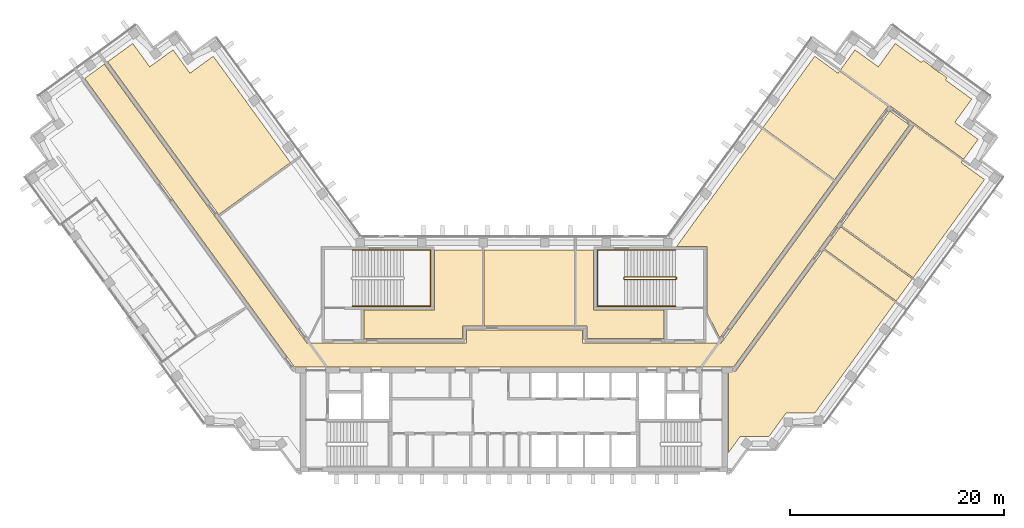
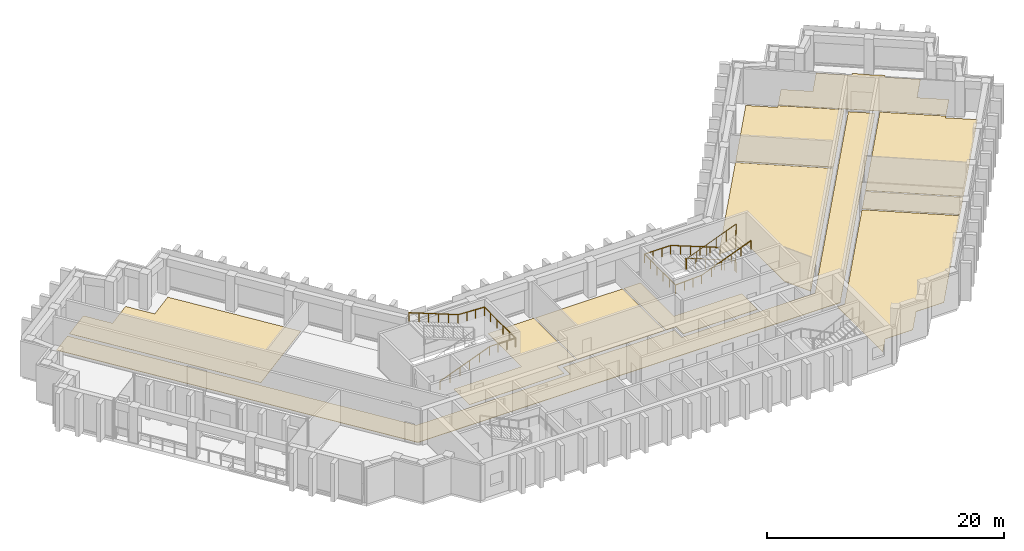
# One storey, part 13 of 13: 11 coverings, 3 railings.
"""IFC4 building model written with IfcOpenShell, lengths in metres."""

from ifc_helpers import new_model, si_unit, direction, frame, origin, origin_2d, place, context, subcontext, project, spatial, polyline, circle, outline, extrude, material, layer, layer_set, type_object, element, save


model = new_model("IFC4")

# Units and contexts
model_context = context("Model", 3, precision=1e-05, world=origin(), true_north=direction((0.0, 1.0)))
body_context = subcontext(model_context, "Body", "Model", "MODEL_VIEW")
ifc_project = project(units=[si_unit("LENGTHUNIT", "METRE"), si_unit("AREAUNIT", "SQUARE_METRE"), si_unit("VOLUMEUNIT", "CUBIC_METRE"), si_unit("PLANEANGLEUNIT", "RADIAN"), si_unit("MASSUNIT", "GRAM", prefix="KILO")], contexts=[model_context])

# Site, building, storey
site_placement = place(None, origin())
site = spatial("IfcSite", under=ifc_project, at=site_placement, CompositionType="ELEMENT")
building_placement = place(site_placement, origin())
building = spatial("IfcBuilding", under=site, at=building_placement, Name="Quipu Civic Tower", CompositionType="ELEMENT")
storey_placement = place(building_placement, frame((0.0, 0.0, 156.0)))
storey = spatial("IfcBuildingStorey", under=building, at=storey_placement, Name="L36", CompositionType="ELEMENT", Elevation=156.0)

# Coverings
ifc_material_1 = material(Name="Carpet tile on raised access floor")
ifc_layer_1 = layer(ifc_material_1, 0.02001953125)
ifc_layer_set_1 = layer_set([ifc_layer_1], Name="Carpet tile on raised access floor")
covering_type_1 = type_object("IfcCoveringType", Name="Carpet tile floor finish 20", PredefinedType="FLOORING", material=ifc_layer_set_1)
covering_1_placement = place(storey_placement, origin())
element("IfcCovering", 1, at=covering_1_placement, inside=storey, type_object=covering_type_1, Name="Carpet tile floor finish 20", PredefinedType="FLOORING", context=body_context, shape_type="SweptSolid", body=[
    extrude(outline(polyline([(15.238037109375, 10.169921875), (23.235107421875, 21.177001953125), (29.9580078125, 16.29296875), (19.27197265625, 1.583984375), (18.070068359375, 3.94189453125), (18.070068359375, 10.1689453125), (15.238037109375, 10.169921875)])), origin(), (0.0, 0.0, 1.0), 0.02001953125),
])
covering_2_placement = place(storey_placement, origin())
element("IfcCovering", 2, at=covering_2_placement, inside=storey, type_object=covering_type_1, Name="Carpet tile floor finish 20", PredefinedType="FLOORING", context=body_context, shape_type="SweptSolid", body=[
    extrude(outline(polyline([(20.070068359375, -9.195068359375), (20.070068359375, -1.52001953125), (20.77490234375, -1.51904296875), (29.0029296875, 9.805908203125), (35.72607421875, 4.922119140625), (28.181884765625, -5.4609375), (25.48193359375, -5.4619140625), (23.89501953125, -7.64599609375), (21.196044921875, -7.64599609375), (20.070068359375, -9.195068359375)])), origin(), (0.0, 0.0, 1.0), 0.02001953125),
])
covering_3_placement = place(storey_placement, origin())
element("IfcCovering", 3, at=covering_3_placement, inside=storey, type_object=covering_type_1, Name="Carpet tile floor finish 20", PredefinedType="FLOORING", context=body_context, shape_type="SweptSolid", body=[
    extrude(outline(polyline([(30.673095703125, 12.10302734375), (37.4990234375, 21.5), (42.0380859375, 18.201904296875), (41.89208984375, 17.9990234375), (44.074951171875, 16.4140625), (37.39599609375, 7.218994140625), (30.673095703125, 12.10302734375)])), origin(), (0.0, 0.0, 1.0), 0.02001953125),
])
covering_4_placement = place(storey_placement, origin())
element("IfcCovering", 4, at=covering_4_placement, inside=storey, type_object=covering_type_1, Name="Carpet tile floor finish 20", PredefinedType="FLOORING", context=body_context, shape_type="SweptSolid", body=[
    extrude(outline(polyline([(-14.030029296875, 1.52001953125), (-14.030029296875, 4.179931640625), (-7.429931640625, 4.180908203125), (-7.429931640625, 9.830078125), (-2.948974609375, 9.830078125), (-2.948974609375, 2.719970703125), (-4.819091796875, 2.719970703125), (-4.820068359375, 1.52001953125), (-14.030029296875, 1.52001953125)])), origin(), (0.0, 0.0, 1.0), 0.02001953125),
])
covering_5_placement = place(storey_placement, origin())
element("IfcCovering", 5, at=covering_5_placement, inside=storey, type_object=covering_type_1, Name="Carpet tile floor finish 20", PredefinedType="FLOORING", context=body_context, shape_type="SweptSolid", body=[
    extrude(outline(polyline([(-2.80908203125, 9.830078125), (5.68798828125, 9.830078125), (5.68798828125, 2.719970703125), (-2.80908203125, 2.719970703125), (-2.80908203125, 9.830078125)])), origin(), (0.0, 0.0, 1.0), 0.02001953125),
])
covering_6_placement = place(storey_placement, origin())
element("IfcCovering", 6, at=covering_6_placement, inside=storey, type_object=covering_type_1, Name="Carpet tile floor finish 20", PredefinedType="FLOORING", context=body_context, shape_type="SweptSolid", body=[
    extrude(outline(polyline([(-38.06689453125, 27.4541015625), (-35.712890625, 29.1640625), (-34.126953125, 26.97998046875), (-31.94091796875, 28.56591796875), (-30.35400390625, 26.383056640625), (-28.169921875, 27.968994140625), (-20.93798828125, 18.013916015625), (-27.660888671875, 13.1298828125), (-38.06689453125, 27.4541015625)])), origin(), (0.0, 0.0, 1.0), 0.02001953125),
])
covering_7_placement = place(storey_placement, origin())
element("IfcCovering", 7, at=covering_7_placement, inside=storey, type_object=covering_type_1, Name="Carpet tile floor finish 20", PredefinedType="FLOORING", context=body_context, shape_type="SweptSolid", body=[
    extrude(outline(polyline([(30.583984375, 26.697021484375), (31.94189453125, 28.56591796875), (34.126953125, 26.97998046875), (35.712890625, 29.1640625), (38.169921875, 27.37890625), (38.324951171875, 27.587890625), (39.0869140625, 27.033935546875), (39.0849609375, 27.030029296875), (39.0830078125, 27.02490234375), (39.08203125, 27.02001953125), (39.08203125, 27.014892578125), (39.08203125, 27.010986328125), (39.0830078125, 27.006103515625), (39.083984375, 27.0009765625), (39.0849609375, 26.99609375), (39.0869140625, 26.991943359375), (39.089111328125, 26.987060546875), (39.092041015625, 26.98291015625), (39.094970703125, 26.97998046875), (39.09912109375, 26.97607421875), (39.10302734375, 26.972900390625), (39.75, 26.5029296875), (39.75390625, 26.5), (39.758056640625, 26.498046875), (39.762939453125, 26.49609375), (39.76806640625, 26.4951171875), (39.77197265625, 26.493896484375), (39.777099609375, 26.492919921875), (39.781982421875, 26.492919921875), (39.787109375, 26.493896484375), (39.7919921875, 26.4951171875), (39.7958984375, 26.49609375), (39.801025390625, 26.498046875), (39.804931640625, 26.5009765625), (39.80908203125, 26.5029296875), (39.81298828125, 26.507080078125), (40.574951171875, 25.952880859375), (40.424072265625, 25.740966796875), (42.881103515625, 23.95703125), (41.2939453125, 21.77294921875), (43.47802734375, 20.18505859375), (42.12109375, 18.31591796875), (30.583984375, 26.697021484375)])), origin(), (0.0, 0.0, 1.0), 0.02001953125),
])
ifc_material_2 = material(Name="Ceramic floor tile")
ifc_layer_2 = layer(ifc_material_2, 0.030029296875)
ifc_layer_set_2 = layer_set([ifc_layer_2], Name="Ceramic floor tile")
covering_type_2 = type_object("IfcCoveringType", Name="Ceramic tile floor finish 30", PredefinedType="FLOORING", material=ifc_layer_set_2)
covering_8_placement = place(storey_placement, origin())
element("IfcCovering", 8, at=covering_8_placement, inside=storey, type_object=covering_type_2, Name="Ceramic tile floor finish 30", PredefinedType="FLOORING", context=body_context, shape_type="SweptSolid", body=[
    extrude(outline(polyline([(29.0859375, 9.9189453125), (30.590087890625, 11.989990234375), (37.31298828125, 7.10595703125), (35.80908203125, 5.034912109375), (29.0859375, 9.9189453125)])), origin(), (0.0, 0.0, 1.0), 0.030029296875),
])
covering_9_placement = place(storey_placement, origin())
element("IfcCovering", 9, at=covering_9_placement, inside=storey, type_object=covering_type_2, Name="Ceramic tile floor finish 30", PredefinedType="FLOORING", context=body_context, shape_type="SweptSolid", body=[
    extrude(outline(polyline([(5.827880859375, 2.719970703125), (5.827880859375, 9.830078125), (7.429931640625, 9.830078125), (7.430908203125, 4.179931640625), (14.030029296875, 4.179931640625), (14.030029296875, 1.52001953125), (6.820068359375, 1.52001953125), (6.820068359375, 2.718994140625), (5.827880859375, 2.719970703125)])), origin(), (0.0, 0.0, 1.0), 0.030029296875),
])
ifc_material_3 = material(Name="Sealed cement screed")
ifc_layer_3 = layer(ifc_material_3, 0.050048828125)
ifc_layer_set_3 = layer_set([ifc_layer_3], Name="Sealed cement screed")
covering_type_3 = type_object("IfcCoveringType", Name="Sealed screed floor finish 50", PredefinedType="FLOORING", material=ifc_layer_set_3)
covering_10_placement = place(storey_placement, origin())
element("IfcCovering", 10, at=covering_10_placement, inside=storey, type_object=covering_type_3, Name="Sealed screed floor finish 50", PredefinedType="FLOORING", context=body_context, shape_type="SweptSolid", body=[
    extrude(outline(polyline([(23.318115234375, 21.2900390625), (28.169921875, 27.968994140625), (30.35302734375, 26.383056640625), (30.5009765625, 26.583984375), (35.0400390625, 23.2880859375), (30.041015625, 16.406005859375), (23.318115234375, 21.2900390625)])), origin(), (0.0, 0.0, 1.0), 0.050048828125),
])

# Railings
ifc_material_4 = material(Name="Stainless steel", Category="steel")
railing_type_1 = type_object("IfcRailingType", Name="Stair guard 1100", PredefinedType="GUARDRAIL", material=ifc_material_4)
railing_1_placement = place(storey_placement, frame((15.14990234375, 7.300048828125, 0.11767578125)))
element("IfcRailing", 11, at=railing_1_placement, inside=storey, type_object=railing_type_1, Name="Stair 4 guard", PredefinedType="GUARDRAIL", context=body_context, shape_type="SweptSolid", body=[
    extrude(circle(Radius=0.02392578125, at=origin_2d()), frame((0.0, 0.0, 1.076171875), z_axis=(-0.930970042603, 0.0, 0.365095576219), x_axis=(0.0, -1.0, 0.0)), (0.0, 0.0, 1.0), 5.15576171875),
    extrude(circle(Radius=0.02392578125, at=origin_2d()), frame((-4.7998046875, 0.0, 2.95849609375), z_axis=(-0.707106781187, -0.707106781187, 0.0), x_axis=(0.707106781187, -0.707106781187, 0.0)), (0.0, 0.0, 1.0), 0.07080078125),
    extrude(circle(Radius=0.02392578125, at=origin_2d()), frame((-4.849853515625, -0.050048828125, 2.95849609375), z_axis=(0.0, -1.0, 0.0), x_axis=(1.0, 0.0, 0.0)), (0.0, 0.0, 1.0), 0.14990234375),
    extrude(circle(Radius=0.02392578125, at=origin_2d()), frame((-4.849853515625, -0.199951171875, 2.95849609375), z_axis=(0.364463019033, -0.364463019033, 0.856932561824), x_axis=(0.707106781187, 0.707106781187, 0.0)), (0.0, 0.0, 1.0), 0.13720703125),
    extrude(circle(Radius=0.02392578125, at=origin_2d()), frame((-4.7998046875, -0.25, 3.076171875), z_axis=(0.930970042603, 0.0, 0.365095576219), x_axis=(0.0, 1.0, 0.0)), (0.0, 0.0, 1.0), 5.15576171875),
    extrude(circle(Radius=0.02392578125, at=origin_2d()), frame((0.0, -0.25, 4.95849609375), z_axis=(0.012495627992, 0.049921557685, -0.998674970829), x_axis=(-0.970072785993, 0.242814311512, 0.0)), (0.0, 0.0, 1.0), 4.00537109375),
    extrude(circle(Radius=0.02392578125, at=origin_2d()), frame((0.050048828125, -0.050048828125, 0.95849609375), z_axis=(0.0, -1.0, 0.0), x_axis=(1.0, 0.0, 0.0)), (0.0, 0.0, 1.0), 0.14990234375),
    extrude(circle(Radius=0.02099609375, at=origin_2d()), origin(), (0.0, 0.0, 1.0), 1.052001953125),
    extrude(circle(Radius=0.02099609375, at=origin_2d()), frame((-0.9599609375, 0.0, 0.37646484375)), (0.0, 0.0, 1.0), 1.052001953125),
    extrude(circle(Radius=0.02099609375, at=origin_2d()), frame((-1.919921875, 0.0, 0.7529296875)), (0.0, 0.0, 1.0), 1.052001953125),
    extrude(circle(Radius=0.02099609375, at=origin_2d()), frame((-2.8798828125, 0.0, 1.12939453125)), (0.0, 0.0, 1.0), 1.052001953125),
    extrude(circle(Radius=0.02099609375, at=origin_2d()), frame((-3.83984375, 0.0, 1.505859375)), (0.0, 0.0, 1.0), 1.052001953125),
    extrude(circle(Radius=0.02099609375, at=origin_2d()), frame((-4.7998046875, 0.0, 1.88232421875)), (0.0, 0.0, 1.0), 1.052001953125),
    extrude(circle(Radius=0.02099609375, at=origin_2d()), frame((-4.849853515625, -0.050048828125, 1.88232421875)), (0.0, 0.0, 1.0), 1.052001953125),
    extrude(circle(Radius=0.02099609375, at=origin_2d()), frame((-4.849853515625, -0.199951171875, 1.88232421875)), (0.0, 0.0, 1.0), 1.052001953125),
    extrude(circle(Radius=0.02099609375, at=origin_2d()), frame((-4.7998046875, -0.25, 2.0)), (0.0, 0.0, 1.0), 1.052001953125),
    extrude(circle(Radius=0.02099609375, at=origin_2d()), frame((-3.83984375, -0.25, 2.37646484375)), (0.0, 0.0, 1.0), 1.052001953125),
    extrude(circle(Radius=0.02099609375, at=origin_2d()), frame((-2.8798828125, -0.25, 2.7529296875)), (0.0, 0.0, 1.0), 1.052001953125),
    extrude(circle(Radius=0.02099609375, at=origin_2d()), frame((-1.919921875, -0.25, 3.12939453125)), (0.0, 0.0, 1.0), 1.052001953125),
    extrude(circle(Radius=0.02099609375, at=origin_2d()), frame((-0.9599609375, -0.25, 3.505859375)), (0.0, 0.0, 1.0), 1.052001953125),
    extrude(circle(Radius=0.02099609375, at=origin_2d()), frame((0.0, -0.25, 3.88232421875)), (0.0, 0.0, 1.0), 1.052001953125),
    extrude(circle(Radius=0.02099609375, at=origin_2d()), frame((0.012451171875, -0.199951171875, 2.88232421875)), (0.0, 0.0, 1.0), 1.052001953125),
    extrude(circle(Radius=0.02099609375, at=origin_2d()), frame((0.02490234375, -0.14990234375, 1.88232421875)), (0.0, 0.0, 1.0), 1.052001953125),
    extrude(circle(Radius=0.02099609375, at=origin_2d()), frame((0.03759765625, -0.10009765625, 0.88232421875)), (0.0, 0.0, 1.0), 1.052001953125),
    extrude(circle(Radius=0.02099609375, at=origin_2d()), frame((0.050048828125, -0.050048828125, -0.11767578125)), (0.0, 0.0, 1.0), 1.052001953125),
    extrude(circle(Radius=0.02099609375, at=origin_2d()), frame((0.050048828125, -0.199951171875, -0.11767578125)), (0.0, 0.0, 1.0), 1.052001953125),
])
ifc_material_5 = material(Name="Stainless steel", Category="steel")
railing_type_2 = type_object("IfcRailingType", Name="Stair handrail", PredefinedType="HANDRAIL", material=ifc_material_5)
railing_2_placement = place(storey_placement, frame((-15.14990234375, 4.550048828125, 0.11767578125)))
element("IfcRailing", 12, at=railing_2_placement, inside=storey, type_object=railing_type_2, Name="Stair 3 handrail", PredefinedType="HANDRAIL", context=body_context, shape_type="SweptSolid", body=[
    extrude(circle(Radius=0.02392578125, at=origin_2d()), frame((0.0, 0.0, 0.8759765625), z_axis=(0.930970042603, 0.0, 0.365095576219), x_axis=(0.0, 1.0, 0.0)), (0.0, 0.0, 1.0), 5.15576171875),
    extrude(circle(Radius=0.02392578125, at=origin_2d()), frame((4.7998046875, 0.0, 2.75830078125), z_axis=(1.0, 0.0, 0.0), x_axis=(0.0, 1.0, 0.0)), (0.0, 0.0, 1.0), 2.550048828125),
    extrude(circle(Radius=0.02392578125, at=origin_2d()), frame((7.349853515625, 0.0, 2.75830078125), z_axis=(0.0, 1.0, 0.0), x_axis=(-1.0, 0.0, 0.0)), (0.0, 0.0, 1.0), 5.25),
    extrude(circle(Radius=0.02392578125, at=origin_2d()), frame((7.349853515625, 5.25, 2.75830078125), z_axis=(-0.998936948642, 0.0, 0.04609742549), x_axis=(0.0, -1.0, 0.0)), (0.0, 0.0, 1.0), 2.552734375),
    extrude(circle(Radius=0.02392578125, at=origin_2d()), frame((4.7998046875, 5.25, 2.8759765625), z_axis=(-0.930970042603, 0.0, 0.365095576219), x_axis=(0.0, -1.0, 0.0)), (0.0, 0.0, 1.0), 5.15576171875),
    extrude(circle(Radius=0.02099609375, at=origin_2d()), origin(), (0.0, 0.0, 1.0), 0.851806640625),
    extrude(circle(Radius=0.02099609375, at=origin_2d()), frame((0.9599609375, 0.0, 0.37646484375)), (0.0, 0.0, 1.0), 0.851806640625),
    extrude(circle(Radius=0.02099609375, at=origin_2d()), frame((1.919921875, 0.0, 0.7529296875)), (0.0, 0.0, 1.0), 0.851806640625),
    extrude(circle(Radius=0.02099609375, at=origin_2d()), frame((2.8798828125, 0.0, 1.12939453125)), (0.0, 0.0, 1.0), 0.851806640625),
    extrude(circle(Radius=0.02099609375, at=origin_2d()), frame((3.83984375, 0.0, 1.505859375)), (0.0, 0.0, 1.0), 0.851806640625),
    extrude(circle(Radius=0.02099609375, at=origin_2d()), frame((4.7998046875, 0.0, 1.88232421875)), (0.0, 0.0, 1.0), 0.851806640625),
    extrude(circle(Radius=0.02099609375, at=origin_2d()), frame((5.64990234375, 0.0, 1.88232421875)), (0.0, 0.0, 1.0), 0.851806640625),
    extrude(circle(Radius=0.02099609375, at=origin_2d()), frame((6.499755859375, 0.0, 1.88232421875)), (0.0, 0.0, 1.0), 0.851806640625),
    extrude(circle(Radius=0.02099609375, at=origin_2d()), frame((7.349853515625, 0.0, 1.88232421875)), (0.0, 0.0, 1.0), 0.851806640625),
    extrude(circle(Radius=0.02099609375, at=origin_2d()), frame((7.349853515625, 1.050048828125, 1.88232421875)), (0.0, 0.0, 1.0), 0.851806640625),
    extrude(circle(Radius=0.02099609375, at=origin_2d()), frame((7.349853515625, 2.10009765625, 1.88232421875)), (0.0, 0.0, 1.0), 0.851806640625),
    extrude(circle(Radius=0.02099609375, at=origin_2d()), frame((7.349853515625, 3.14990234375, 1.88232421875)), (0.0, 0.0, 1.0), 0.851806640625),
    extrude(circle(Radius=0.02099609375, at=origin_2d()), frame((7.349853515625, 4.199951171875, 1.88232421875)), (0.0, 0.0, 1.0), 0.851806640625),
    extrude(circle(Radius=0.02099609375, at=origin_2d()), frame((7.349853515625, 5.25, 1.88232421875)), (0.0, 0.0, 1.0), 0.851806640625),
    extrude(circle(Radius=0.02099609375, at=origin_2d()), frame((6.499755859375, 5.25, 1.921630859375)), (0.0, 0.0, 1.0), 0.851806640625),
    extrude(circle(Radius=0.02099609375, at=origin_2d()), frame((5.64990234375, 5.25, 1.960693359375)), (0.0, 0.0, 1.0), 0.851806640625),
    extrude(circle(Radius=0.02099609375, at=origin_2d()), frame((4.7998046875, 5.25, 2.0)), (0.0, 0.0, 1.0), 0.851806640625),
    extrude(circle(Radius=0.02099609375, at=origin_2d()), frame((3.83984375, 5.25, 2.37646484375)), (0.0, 0.0, 1.0), 0.851806640625),
    extrude(circle(Radius=0.02099609375, at=origin_2d()), frame((2.8798828125, 5.25, 2.7529296875)), (0.0, 0.0, 1.0), 0.851806640625),
    extrude(circle(Radius=0.02099609375, at=origin_2d()), frame((1.919921875, 5.25, 3.12939453125)), (0.0, 0.0, 1.0), 0.851806640625),
    extrude(circle(Radius=0.02099609375, at=origin_2d()), frame((0.9599609375, 5.25, 3.505859375)), (0.0, 0.0, 1.0), 0.851806640625),
    extrude(circle(Radius=0.02099609375, at=origin_2d()), frame((0.0, 5.25, 3.88232421875)), (0.0, 0.0, 1.0), 0.851806640625),
])
railing_3_placement = place(storey_placement, frame((15.14990234375, 9.800048828125, 0.11767578125)))
element("IfcRailing", 13, at=railing_3_placement, inside=storey, type_object=railing_type_2, Name="Stair 4 handrail", PredefinedType="HANDRAIL", context=body_context, shape_type="SweptSolid", body=[
    extrude(circle(Radius=0.02392578125, at=origin_2d()), frame((0.0, 0.0, 0.8759765625), z_axis=(-0.930970042603, 0.0, 0.365095576219), x_axis=(0.0, -1.0, 0.0)), (0.0, 0.0, 1.0), 5.15576171875),
    extrude(circle(Radius=0.02392578125, at=origin_2d()), frame((-4.7998046875, 0.0, 2.75830078125), z_axis=(-1.0, 0.0, 0.0), x_axis=(0.0, -1.0, 0.0)), (0.0, 0.0, 1.0), 2.550048828125),
    extrude(circle(Radius=0.02392578125, at=origin_2d()), frame((-7.349853515625, 0.0, 2.75830078125), z_axis=(0.0, -1.0, 0.0), x_axis=(1.0, 0.0, 0.0)), (0.0, 0.0, 1.0), 5.25),
    extrude(circle(Radius=0.02392578125, at=origin_2d()), frame((-7.349853515625, -5.25, 2.75830078125), z_axis=(0.998936948642, 0.0, 0.04609742549), x_axis=(0.0, 1.0, 0.0)), (0.0, 0.0, 1.0), 2.552734375),
    extrude(circle(Radius=0.02392578125, at=origin_2d()), frame((-4.7998046875, -5.25, 2.8759765625), z_axis=(0.930970042603, 0.0, 0.365095576219), x_axis=(0.0, 1.0, 0.0)), (0.0, 0.0, 1.0), 5.15576171875),
    extrude(circle(Radius=0.02099609375, at=origin_2d()), origin(), (0.0, 0.0, 1.0), 0.851806640625),
    extrude(circle(Radius=0.02099609375, at=origin_2d()), frame((-0.9599609375, 0.0, 0.37646484375)), (0.0, 0.0, 1.0), 0.851806640625),
    extrude(circle(Radius=0.02099609375, at=origin_2d()), frame((-1.919921875, 0.0, 0.7529296875)), (0.0, 0.0, 1.0), 0.851806640625),
    extrude(circle(Radius=0.02099609375, at=origin_2d()), frame((-2.8798828125, 0.0, 1.12939453125)), (0.0, 0.0, 1.0), 0.851806640625),
    extrude(circle(Radius=0.02099609375, at=origin_2d()), frame((-3.83984375, 0.0, 1.505859375)), (0.0, 0.0, 1.0), 0.851806640625),
    extrude(circle(Radius=0.02099609375, at=origin_2d()), frame((-4.7998046875, 0.0, 1.88232421875)), (0.0, 0.0, 1.0), 0.851806640625),
    extrude(circle(Radius=0.02099609375, at=origin_2d()), frame((-5.64990234375, 0.0, 1.88232421875)), (0.0, 0.0, 1.0), 0.851806640625),
    extrude(circle(Radius=0.02099609375, at=origin_2d()), frame((-6.499755859375, 0.0, 1.88232421875)), (0.0, 0.0, 1.0), 0.851806640625),
    extrude(circle(Radius=0.02099609375, at=origin_2d()), frame((-7.349853515625, 0.0, 1.88232421875)), (0.0, 0.0, 1.0), 0.851806640625),
    extrude(circle(Radius=0.02099609375, at=origin_2d()), frame((-7.349853515625, -1.050048828125, 1.88232421875)), (0.0, 0.0, 1.0), 0.851806640625),
    extrude(circle(Radius=0.02099609375, at=origin_2d()), frame((-7.349853515625, -2.10009765625, 1.88232421875)), (0.0, 0.0, 1.0), 0.851806640625),
    extrude(circle(Radius=0.02099609375, at=origin_2d()), frame((-7.349853515625, -3.14990234375, 1.88232421875)), (0.0, 0.0, 1.0), 0.851806640625),
    extrude(circle(Radius=0.02099609375, at=origin_2d()), frame((-7.349853515625, -4.199951171875, 1.88232421875)), (0.0, 0.0, 1.0), 0.851806640625),
    extrude(circle(Radius=0.02099609375, at=origin_2d()), frame((-7.349853515625, -5.25, 1.88232421875)), (0.0, 0.0, 1.0), 0.851806640625),
    extrude(circle(Radius=0.02099609375, at=origin_2d()), frame((-6.499755859375, -5.25, 1.921630859375)), (0.0, 0.0, 1.0), 0.851806640625),
    extrude(circle(Radius=0.02099609375, at=origin_2d()), frame((-5.64990234375, -5.25, 1.960693359375)), (0.0, 0.0, 1.0), 0.851806640625),
    extrude(circle(Radius=0.02099609375, at=origin_2d()), frame((-4.7998046875, -5.25, 2.0)), (0.0, 0.0, 1.0), 0.851806640625),
    extrude(circle(Radius=0.02099609375, at=origin_2d()), frame((-3.83984375, -5.25, 2.37646484375)), (0.0, 0.0, 1.0), 0.851806640625),
    extrude(circle(Radius=0.02099609375, at=origin_2d()), frame((-2.8798828125, -5.25, 2.7529296875)), (0.0, 0.0, 1.0), 0.851806640625),
    extrude(circle(Radius=0.02099609375, at=origin_2d()), frame((-1.919921875, -5.25, 3.12939453125)), (0.0, 0.0, 1.0), 0.851806640625),
    extrude(circle(Radius=0.02099609375, at=origin_2d()), frame((-0.9599609375, -5.25, 3.505859375)), (0.0, 0.0, 1.0), 0.851806640625),
    extrude(circle(Radius=0.02099609375, at=origin_2d()), frame((0.0, -5.25, 3.88232421875)), (0.0, 0.0, 1.0), 0.851806640625),
])

# Covering
ifc_material_6 = material(Name="Terrazzo floor finish")
ifc_layer_4 = layer(ifc_material_6, 0.0400390625)
ifc_layer_set_4 = layer_set([ifc_layer_4], Name="Terrazzo floor finish")
covering_type_4 = type_object("IfcCoveringType", Name="Terrazzo floor finish 40", PredefinedType="FLOORING", material=ifc_layer_set_4)
covering_11_placement = place(storey_placement, origin())
element("IfcCovering", 14, at=covering_11_placement, inside=storey, type_object=covering_type_4, Name="Terrazzo floor finish 40", PredefinedType="FLOORING", context=body_context, shape_type="SweptSolid", body=[
    extrude(outline(polyline([(6.429931640625, 1.1298828125), (19.425048828125, 1.1298828125), (35.208984375, 22.85498046875), (37.037109375, 21.527099609375), (20.574951171875, -1.1298828125), (-20.574951171875, -1.1298828125), (-40.2109375, 25.89599609375), (-38.382080078125, 27.22412109375), (-19.425048828125, 1.1298828125), (-4.429931640625, 1.1298828125), (-4.429931640625, 2.330078125), (6.429931640625, 2.330078125), (6.429931640625, 1.1298828125)])), origin(), (0.0, 0.0, 1.0), 0.0400390625),
])

save(model, "model.ifc")
